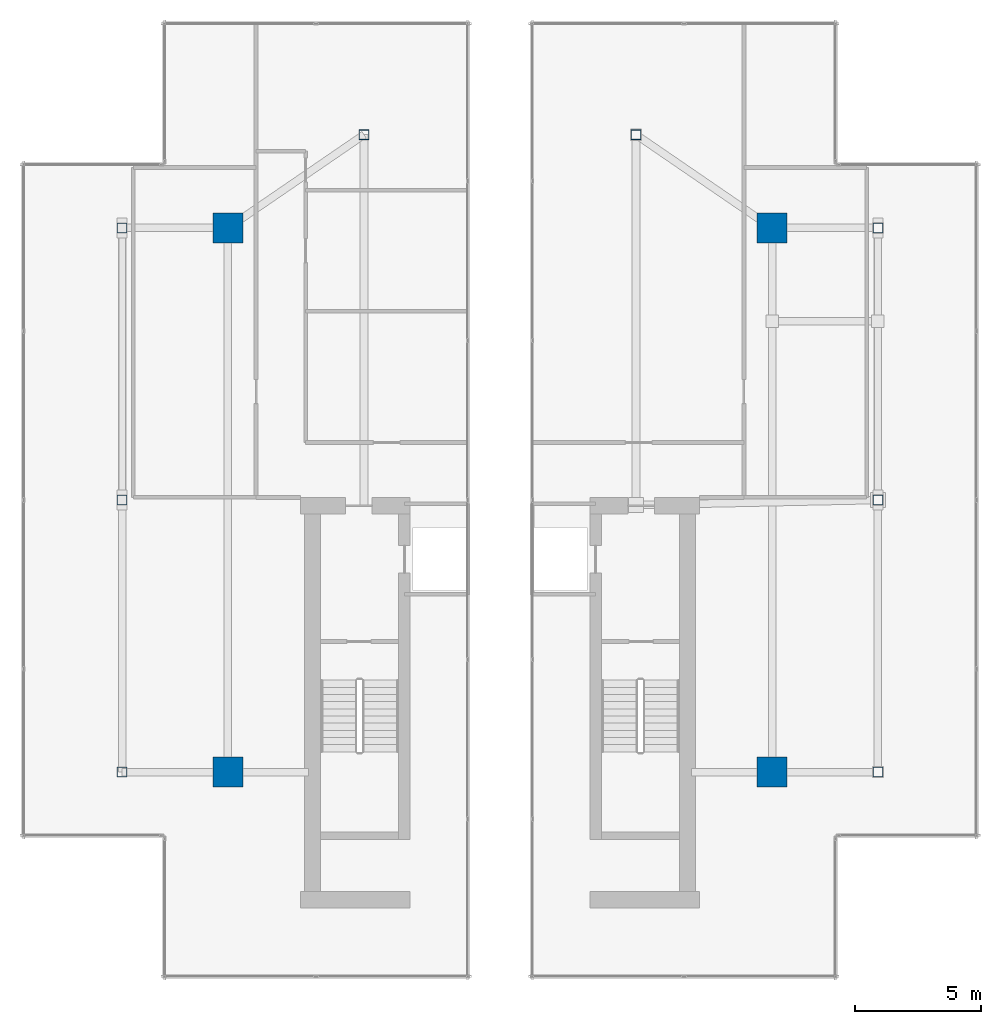
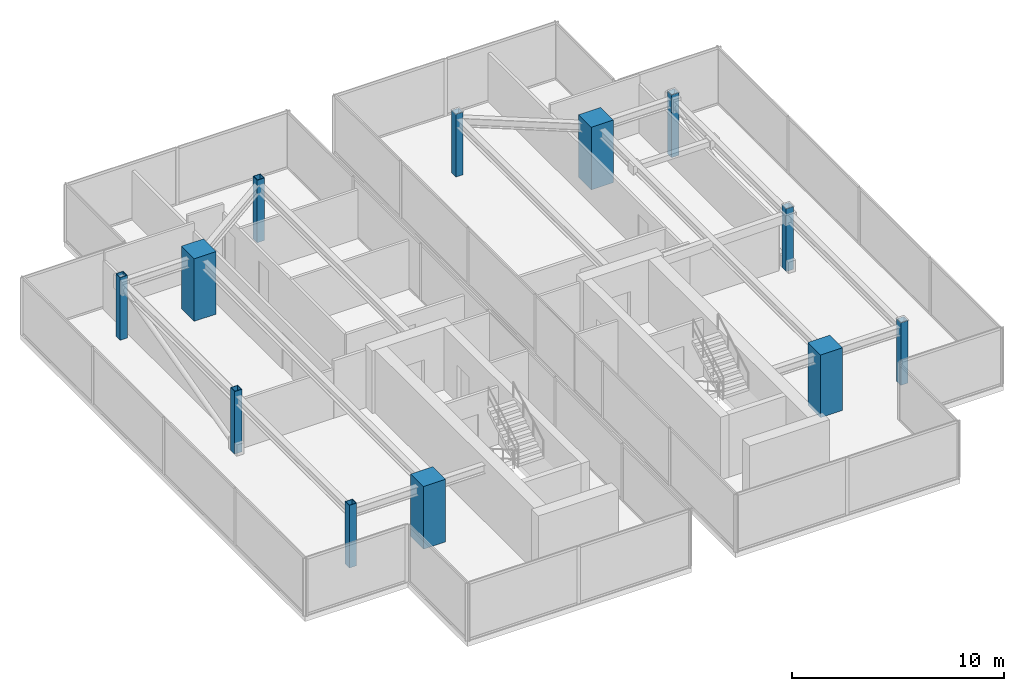
# One storey, part 1 of 25: 12 columns.
"""IFC4 building model written with IfcOpenShell, lengths in metres."""

from ifc_helpers import new_model, si_unit, direction, frame, origin, origin_2d, place, context, subcontext, project, spatial, rectangle, hollow_rectangle, extrude, source, transform, mapped, material, material_profile, profile_set, type_object, type_shapes, element, save


model = new_model("IFC4")

# Units and contexts
model_context = context("Model", 3, precision=1e-05, world=origin(), true_north=direction((0.0, 1.0)))
body_context = subcontext(model_context, "Body", "Model", "MODEL_VIEW")
ifc_project = project(units=[si_unit("LENGTHUNIT", "METRE"), si_unit("AREAUNIT", "SQUARE_METRE"), si_unit("VOLUMEUNIT", "CUBIC_METRE"), si_unit("PLANEANGLEUNIT", "RADIAN"), si_unit("MASSUNIT", "GRAM", prefix="KILO")], contexts=[model_context])

# Site, building, storey
site_placement = place(None, origin())
site = spatial("IfcSite", under=ifc_project, at=site_placement, CompositionType="ELEMENT")
building_placement = place(site_placement, origin())
building = spatial("IfcBuilding", under=site, at=building_placement, Name="Krantzveldt Concourse Tower", CompositionType="ELEMENT")
storey_placement = place(building_placement, frame((0.0, 0.0, 374.64990234375)))
storey = spatial("IfcBuildingStorey", under=building, at=storey_placement, Name="L92", CompositionType="ELEMENT", Elevation=374.64990234375)

# Columns
ifc_material_1 = material(Name="Concrete C50/60", Category="concrete")
ifc_material_profile_1 = material_profile(ifc_material_1, rectangle(XDim=1.199951171875, YDim=1.199951171875, at=origin_2d()), Name="Concrete C50/60", Category="concrete")
ifc_profile_set_1 = profile_set([ifc_material_profile_1], Name="Concrete C50/60 - RC 1200x1200")
column_type_1 = type_object("IfcColumnType", Name="COL-MC-1200", PredefinedType="USERDEFINED", material=ifc_profile_set_1)
shared_shape_1 = source(origin(), body_context, "Body", "SweptSolid", [
    extrude(rectangle(XDim=1.199951171875, YDim=1.199951171875, at=origin_2d()), origin(), (0.0, 0.0, 1.0), 3.60009765625),
])
type_shapes(column_type_1, [shared_shape_1])
for number, where, z_axis, x_axis, name in (
    (1, (25.199951171875, 15.89990234375, 0.0), (0.0, 0.0, 1.0), (1.0, 0.0, 0.0), "MC-SW-L92"),
    (2, (46.800048828125, 15.89990234375, 0.0), (0.0, 0.0, 1.0), (1.0, 0.0, 0.0), "MC-SE-L92"),
    (3, (46.800048828125, 37.5, 0.0), (0.0, 0.0, 1.0), (1.0, 0.0, 0.0), "MC-NE-L92"),
    (4, (25.199951171875, 37.5, 0.0), (0.0, 0.0, 1.0), (1.0, 0.0, 0.0), "MC-NW-L92"),
):
    element("IfcColumn", number, at=place(storey_placement, frame(where, z_axis=z_axis, x_axis=x_axis)), inside=storey, type_object=column_type_1, Name=name, ObjectType="MEGA COLUMN", PredefinedType="USERDEFINED", context=body_context, shape_type="MappedRepresentation", body=[
        mapped(shared_shape_1, transform((0.0, 0.0, 0.0), x_axis=(1.0, 0.0, 0.0), y_axis=(0.0, 1.0, 0.0), z_axis=(0.0, 0.0, 1.0), scale=1.0)),
    ])
ifc_material_2 = material(Name="Steel S355J2", Category="steel")
ifc_material_profile_2 = material_profile(ifc_material_2, hollow_rectangle(XDim=0.39990234375, YDim=0.39990234375, WallThickness=0.02490234375, at=origin_2d()), Name="Steel S355J2", Category="steel")
ifc_profile_set_2 = profile_set([ifc_material_profile_2], Name="Steel S355J2 - SHS 400x400x25")
column_type_2 = type_object("IfcColumnType", Name="COL-SC-SHS400", PredefinedType="COLUMN", material=ifc_profile_set_2)
shared_shape_2 = source(origin(), body_context, "Body", "SweptSolid", [
    extrude(hollow_rectangle(XDim=0.39990234375, YDim=0.39990234375, WallThickness=0.02490234375, at=origin_2d()), origin(), (0.0, 0.0, 1.0), 3.60009765625),
])
type_shapes(column_type_2, [shared_shape_2])
for number, where, z_axis, x_axis, name in (
    (5, (21.0, 15.89990234375, 0.0), (0.0, 0.0, 1.0), (1.0, 0.0, 0.0), "CC-L92-W1"),
    (6, (21.0, 26.699951171875, 0.0), (0.0, 0.0, 1.0), (1.0, 0.0, 0.0), "CC-L92-W2"),
    (7, (21.0, 37.5, 0.0), (0.0, 0.0, 1.0), (1.0, 0.0, 0.0), "CC-L92-W3"),
    (8, (30.60009765625, 41.199951171875, 0.0), (0.0, 0.0, 1.0), (1.0, 0.0, 0.0), "CC-L92-W4"),
    (9, (51.0, 15.89990234375, 0.0), (0.0, 0.0, 1.0), (1.0, 0.0, 0.0), "CC-L92-E1"),
    (10, (51.0, 26.699951171875, 0.0), (0.0, 0.0, 1.0), (1.0, 0.0, 0.0), "CC-L92-E2"),
    (11, (51.0, 37.5, 0.0), (0.0, 0.0, 1.0), (1.0, 0.0, 0.0), "CC-L92-E3"),
    (12, (41.39990234375, 41.199951171875, 0.0), (0.0, 0.0, 1.0), (1.0, 0.0, 0.0), "CC-L92-E4"),
):
    element("IfcColumn", number, at=place(storey_placement, frame(where, z_axis=z_axis, x_axis=x_axis)), inside=storey, type_object=column_type_2, Name=name, PredefinedType="COLUMN", context=body_context, shape_type="MappedRepresentation", body=[
        mapped(shared_shape_2, transform((0.0, 0.0, 0.0), x_axis=(1.0, 0.0, 0.0), y_axis=(0.0, 1.0, 0.0), z_axis=(0.0, 0.0, 1.0), scale=1.0)),
    ])

save(model, "model.ifc")
